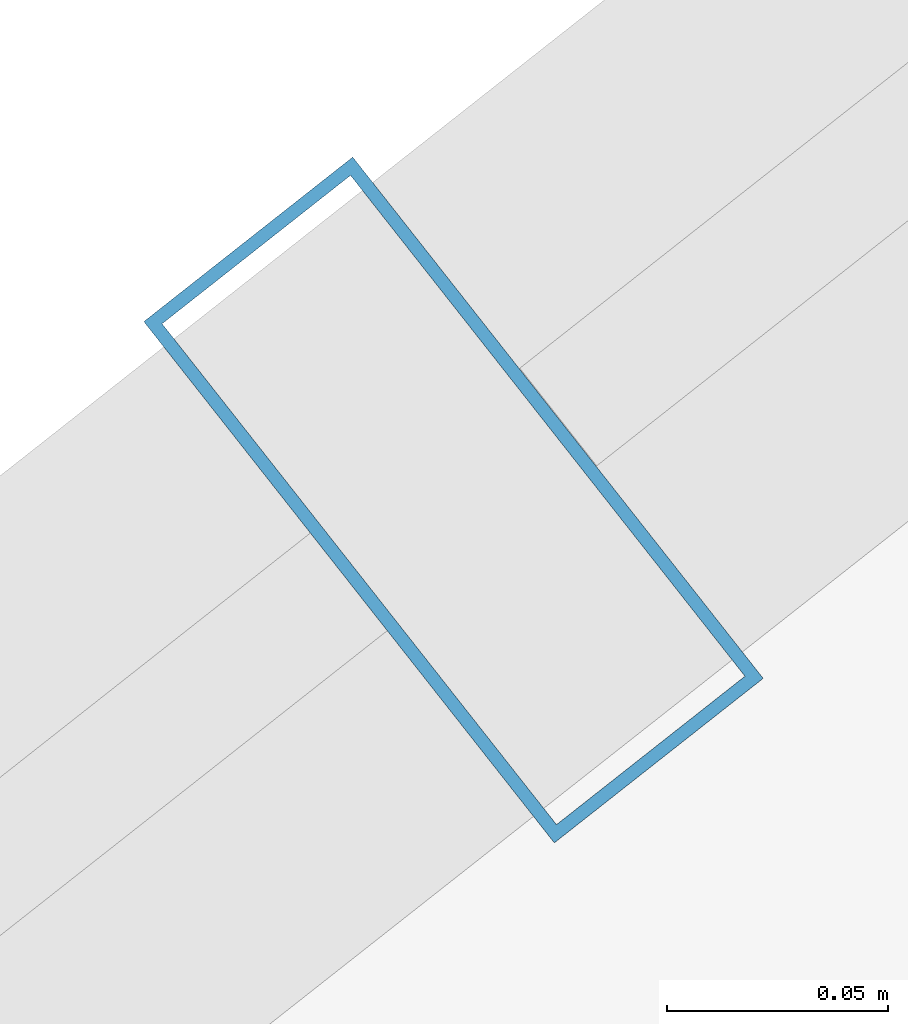
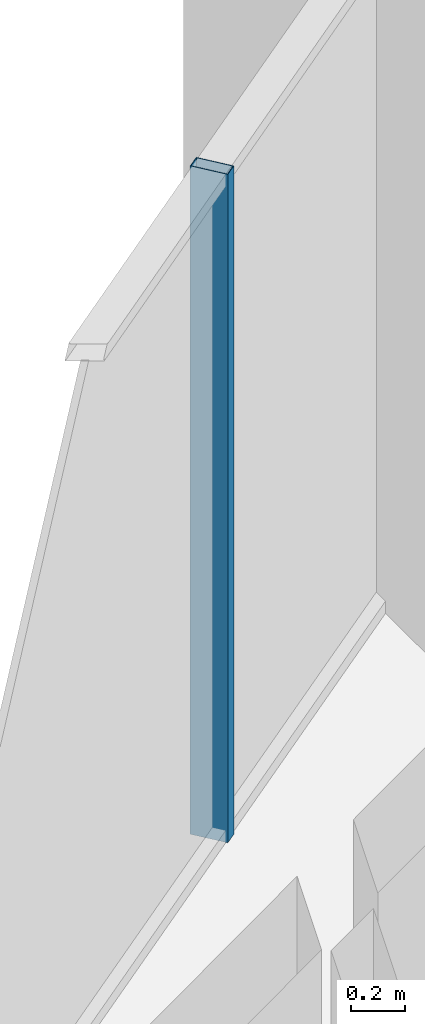
# One storey, part 20 of 31: 1 member, 1 element without a shape of its own.
"""IFC4 building model written with IfcOpenShell, lengths in metres."""

from ifc_helpers import new_model, si_unit, direction, frame, origin, origin_2d, place, context, subcontext, project, spatial, hollow_rectangle, extrude, source, transform, mapped, material, layer, layer_set, material_profile, profile_set, type_object, element, aggregate, save


model = new_model("IFC4")

# Units and contexts
model_context = context("Model", 3, precision=1e-05, world=origin(), true_north=direction((0.0, 1.0)))
body_context = subcontext(model_context, "Body", "Model", "MODEL_VIEW")
ifc_project = project(units=[si_unit("LENGTHUNIT", "METRE"), si_unit("AREAUNIT", "SQUARE_METRE"), si_unit("VOLUMEUNIT", "CUBIC_METRE"), si_unit("PLANEANGLEUNIT", "RADIAN"), si_unit("MASSUNIT", "GRAM", prefix="KILO")], contexts=[model_context])

# Site, building, storey
site_placement = place(None, origin())
site = spatial("IfcSite", under=ifc_project, at=site_placement, CompositionType="ELEMENT")
building_placement = place(site_placement, origin())
building = spatial("IfcBuilding", under=site, at=building_placement, Name="Veraguas Prism Commons", CompositionType="ELEMENT")
storey_placement = place(building_placement, frame((0.0, 0.0, 178.85009765625)))
storey = spatial("IfcBuildingStorey", under=building, at=storey_placement, Name="L50", CompositionType="ELEMENT", Elevation=178.85009765625)

# Curtain wall, member
ifc_material = material(Name="Anodised aluminium EN AW-6063 T6", Category="aluminium")
ifc_layer = layer(ifc_material, 0.14990234375, Name="Unitised Flush Curtain Wall Zone 3", Category="aluminium")
ifc_layer_set = layer_set([ifc_layer], Name="Anodised aluminium EN AW-6063 T6")
curtain_wall_type = type_object("IfcCurtainWallType", Name="Unitised Flush Curtain Wall Zone 3", PredefinedType="NOTDEFINED", material=ifc_layer_set)
curtain_wall_placement = place(storey_placement, origin())
curtain_wall = element("IfcCurtainWall", 1, at=curtain_wall_placement, inside=storey, type_object=curtain_wall_type, Name="Tower Facade Curtain Wall L50-F2", PredefinedType="NOTDEFINED")
ifc_material_profile = material_profile(ifc_material, hollow_rectangle(XDim=0.06005859375, YDim=0.14990234375, WallThickness=0.0029296875, at=origin_2d()), Name="AL60X150X3")
ifc_profile_set = profile_set([ifc_material_profile], Name="Anodised aluminium EN AW-6063 T6")
member_type = type_object("IfcMemberType", Name="Curtain Wall Mullion Upper AL 60x150x3", PredefinedType="MULLION", material=ifc_profile_set)
shared_shape = source(origin(), body_context, "Body", "SweptSolid", [
    extrude(hollow_rectangle(XDim=0.06005859375, YDim=0.14990234375, WallThickness=0.0029296875, at=origin_2d()), origin(), (0.0, 0.0, 1.0), 3.014892578125),
])
member_placement = place(storey_placement, frame((13.04296875, 37.913818359375, 0.0), z_axis=(0.0, 0.0, 1.0), x_axis=(-0.785642059854, -0.618681302278, 0.0)))
member = element("IfcMember", 2, at=member_placement, type_object=member_type, Name="CW-Z3 Mullion 3", PredefinedType="MULLION", context=body_context, shape_type="MappedRepresentation", body=[
    mapped(shared_shape, transform((0.0, 0.0, 0.0), scale=1.0)),
])
aggregate(curtain_wall, [member])

save(model, "model.ifc")
